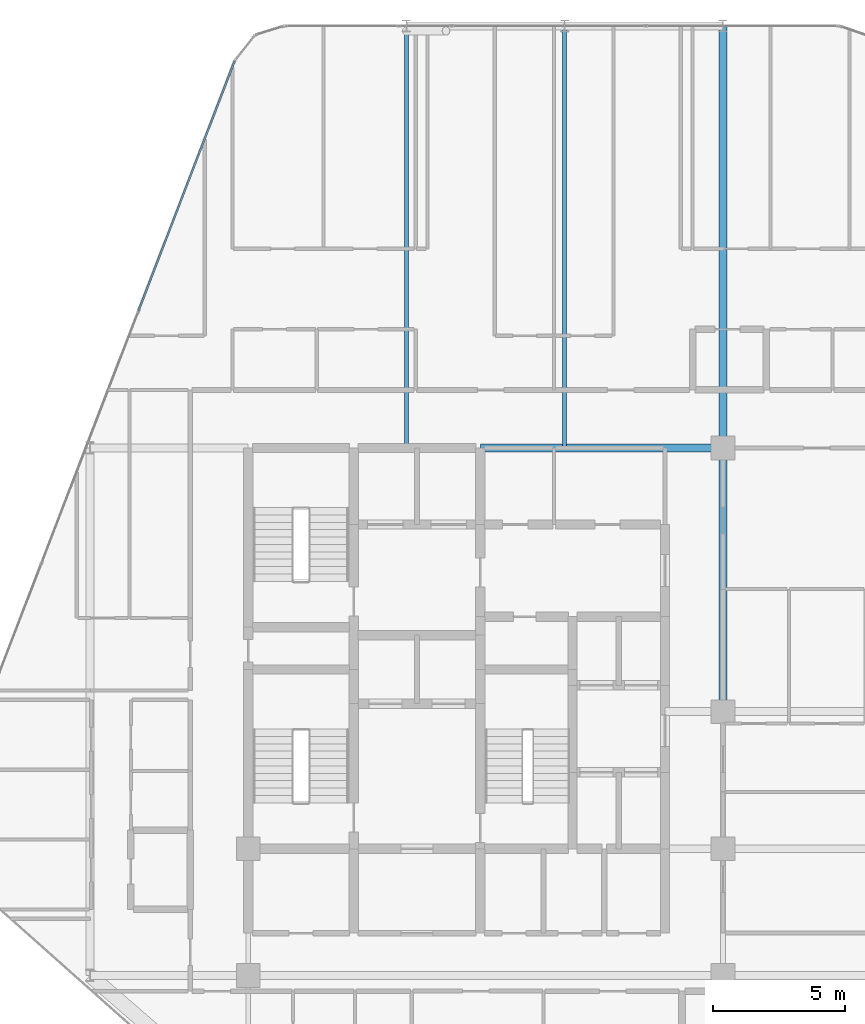
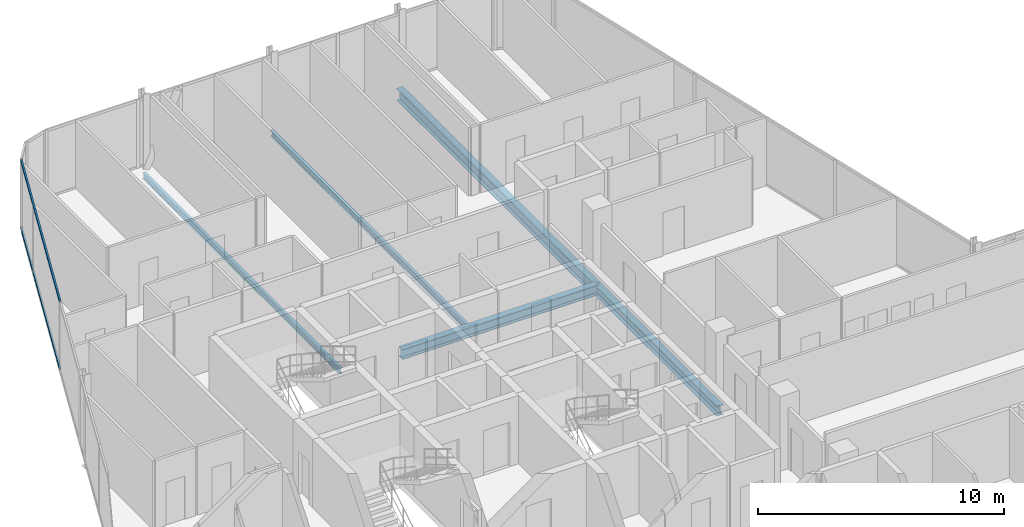
# One storey, part 17 of 29: 5 beams, 2 members, 1 element without a shape of its own.
"""IFC4 building model written with IfcOpenShell, lengths in metres."""

from ifc_helpers import new_model, si_unit, direction, frame, origin, origin_2d, place, context, subcontext, project, spatial, hollow_rectangle, i_section, extrude, material, layer, layer_set, material_profile, profile_set, type_object, element, aggregate, save


model = new_model("IFC4")

# Units and contexts
model_context = context("Model", 3, precision=1e-05, world=origin(), true_north=direction((0.0, 1.0)))
body_context = subcontext(model_context, "Body", "Model", "MODEL_VIEW")
ifc_project = project(units=[si_unit("LENGTHUNIT", "METRE"), si_unit("AREAUNIT", "SQUARE_METRE"), si_unit("VOLUMEUNIT", "CUBIC_METRE"), si_unit("PLANEANGLEUNIT", "RADIAN"), si_unit("MASSUNIT", "GRAM", prefix="KILO")], contexts=[model_context])

# Site, building, storey
site_placement = place(None, origin())
site = spatial("IfcSite", under=ifc_project, at=site_placement, CompositionType="ELEMENT")
building_placement = place(site_placement, origin())
building = spatial("IfcBuilding", under=site, at=building_placement, Name="Keshet Zoharim Tower", CompositionType="ELEMENT")
storey_placement = place(building_placement, frame((0.0, 0.0, 192.10009765625)))
storey = spatial("IfcBuildingStorey", under=building, at=storey_placement, Name="L47", CompositionType="ELEMENT", Elevation=192.10009765625)

# Beams
ifc_material_1 = material(Name="Steel S355", Category="steel")
ifc_material_profile_1 = material_profile(ifc_material_1, i_section(OverallWidth=0.14990234375, OverallDepth=0.300048828125, WebThickness=0.007080078125, FlangeThickness=0.0107421875, FilletRadius=0.014892578125, at=origin_2d()), Name="IPE300")
ifc_profile_set_1 = profile_set([ifc_material_profile_1], Name="Steel S355")
beam_type_1 = type_object("IfcBeamType", Name="BM-JST-IP300", PredefinedType="JOIST", material=ifc_profile_set_1)
for number, where, z_axis, x_axis, name in (
    (1, (21.0, 37.89990234375, -0.460205078125), (0.0, 1.0, 0.0), (-1.0, 0.0, 0.0), "L47 Secondary Floor Joist J-001"),
    (2, (27.0, 37.89990234375, -0.460205078125), (0.0, 1.0, 0.0), (-1.0, 0.0, 0.0), "L47 Secondary Floor Joist J-002"),
):
    element("IfcBeam", number, at=place(storey_placement, frame(where, z_axis=z_axis, x_axis=x_axis)), inside=storey, type_object=beam_type_1, Name=name, PredefinedType="JOIST", context=body_context, shape_type="SweptSolid", body=[
        extrude(i_section(OverallWidth=0.14990234375, OverallDepth=0.300048828125, WebThickness=0.007080078125, FlangeThickness=0.0107421875, FilletRadius=0.014892578125, at=origin_2d()), origin(), (0.0, 0.0, 1.0), 16.0),
    ])
ifc_material_profile_2 = material_profile(ifc_material_1, i_section(OverallWidth=0.300048828125, OverallDepth=0.60009765625, WebThickness=0.015380859375, FlangeThickness=0.030029296875, FilletRadius=0.027099609375, at=origin_2d()), Name="HEB600")
ifc_profile_set_2 = profile_set([ifc_material_profile_2], Name="Steel S355")
beam_type_2 = type_object("IfcBeamType", Name="BM-LNG-HB600", PredefinedType="BEAM", material=ifc_profile_set_2)
beam_1_placement = place(storey_placement, frame((33.0, 37.89990234375, -0.610107421875), z_axis=(0.0, 1.0, 0.0), x_axis=(-1.0, 0.0, 0.0)))
element("IfcBeam", 3, at=beam_1_placement, inside=storey, type_object=beam_type_2, Name="L47 Primary Girder Y-011", PredefinedType="BEAM", context=body_context, shape_type="SweptSolid", body=[
    extrude(i_section(OverallWidth=0.300048828125, OverallDepth=0.60009765625, WebThickness=0.015380859375, FlangeThickness=0.030029296875, FilletRadius=0.027099609375, at=origin_2d()), origin(), (0.0, 0.0, 1.0), 16.0),
])
ifc_material_profile_3 = material_profile(ifc_material_1, i_section(OverallWidth=0.300048828125, OverallDepth=0.5, WebThickness=0.014404296875, FlangeThickness=0.028076171875, FilletRadius=0.027099609375, at=origin_2d()), Name="HEB500")
ifc_profile_set_3 = profile_set([ifc_material_profile_3], Name="Steel S355")
beam_type_3 = type_object("IfcBeamType", Name="BM-MED-HB500", PredefinedType="BEAM", material=ifc_profile_set_3)
beam_2_placement = place(storey_placement, frame((23.800048828125, 37.89990234375, -0.56005859375), z_axis=(1.0, 0.0, 0.0), x_axis=(0.0, 1.0, 0.0)))
element("IfcBeam", 4, at=beam_2_placement, inside=storey, type_object=beam_type_3, Name="L47 Primary Girder X-018", PredefinedType="BEAM", context=body_context, shape_type="SweptSolid", body=[
    extrude(i_section(OverallWidth=0.300048828125, OverallDepth=0.5, WebThickness=0.014404296875, FlangeThickness=0.028076171875, FilletRadius=0.027099609375, at=origin_2d()), origin(), (0.0, 0.0, 1.0), 9.199951171875),
])
beam_3_placement = place(storey_placement, frame((33.0, 27.89990234375, -0.56005859375), z_axis=(0.0, 1.0, 0.0), x_axis=(-1.0, 0.0, 0.0)))
element("IfcBeam", 5, at=beam_3_placement, inside=storey, type_object=beam_type_3, Name="L47 Primary Girder Y-010", PredefinedType="BEAM", context=body_context, shape_type="SweptSolid", body=[
    extrude(i_section(OverallWidth=0.300048828125, OverallDepth=0.5, WebThickness=0.014404296875, FlangeThickness=0.028076171875, FilletRadius=0.027099609375, at=origin_2d()), origin(), (0.0, 0.0, 1.0), 10.0),
])

# Curtain wall, members
ifc_material_2 = material(Name="Aluminium 6063-T6", Category="aluminium")
ifc_layer = layer(ifc_material_2, 0.139892578125)
ifc_layer_set = layer_set([ifc_layer], Name="Aluminium 6063-T6")
curtain_wall_type = type_object("IfcCurtainWallType", Name="CW-SYS-05", PredefinedType="NOTDEFINED", material=ifc_layer_set)
curtain_wall_placement = place(storey_placement, origin())
curtain_wall = element("IfcCurtainWall", 6, at=curtain_wall_placement, inside=storey, type_object=curtain_wall_type, Name="L47 Unitised Curtain Wall 13", PredefinedType="NOTDEFINED")
ifc_material_profile_4 = material_profile(ifc_material_2, hollow_rectangle(XDim=0.074951171875, YDim=0.1201171875, WallThickness=0.00390625, at=origin_2d()), Name="TRN-75x120")
ifc_profile_set_4 = profile_set([ifc_material_profile_4], Name="Aluminium 6063-T6")
member_type = type_object("IfcMemberType", Name="CWT-T12", PredefinedType="USERDEFINED", material=ifc_profile_set_4)
member_1_placement = place(storey_placement, frame((10.849609375, 43.10888671875, 0.034912109375), z_axis=(0.358985546764, 0.933343118694, 0.0), x_axis=(-0.933343118694, 0.358985546764, 0.0)))
member_1 = element("IfcMember", 7, at=member_1_placement, type_object=member_type, Name="CW-05 transom 3.1", ObjectType="TRANSOM", PredefinedType="USERDEFINED", context=body_context, shape_type="SweptSolid", body=[
    extrude(hollow_rectangle(XDim=0.074951171875, YDim=0.1201171875, WallThickness=0.00390625, at=origin_2d()), origin(), (0.0, 0.0, 1.0), 10.118408203125),
])
member_2_placement = place(storey_placement, frame((10.849609375, 43.10888671875, 3.35498046875), z_axis=(0.358985546764, 0.933343118694, 0.0), x_axis=(-0.933343118694, 0.358985546764, 0.0)))
member_2 = element("IfcMember", 8, at=member_2_placement, type_object=member_type, Name="CW-05 transom 3.2", ObjectType="TRANSOM", PredefinedType="USERDEFINED", context=body_context, shape_type="SweptSolid", body=[
    extrude(hollow_rectangle(XDim=0.074951171875, YDim=0.1201171875, WallThickness=0.00390625, at=origin_2d()), origin(), (0.0, 0.0, 1.0), 10.118408203125),
])
aggregate(curtain_wall, [member_1, member_2])

save(model, "model.ifc")
